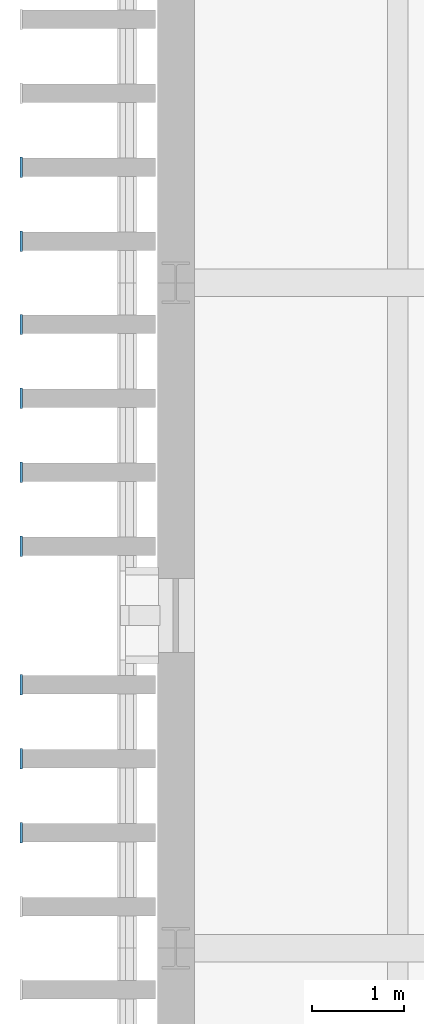
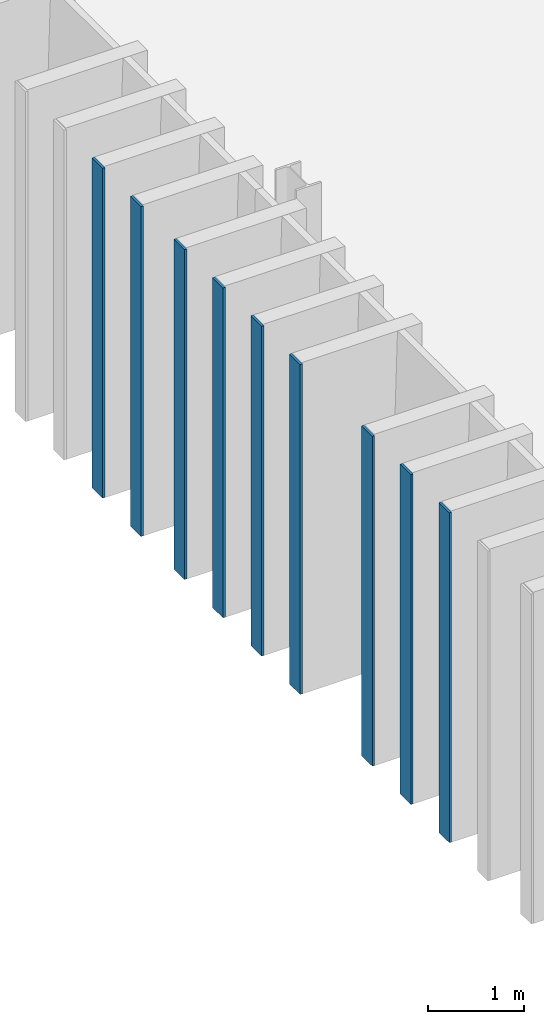
# One storey, part 45 of 91: 9 plates.
"""IFC4 building model written with IfcOpenShell, lengths in metres."""

from ifc_helpers import new_model, si_unit, direction, frame, origin, origin_2d, place, context, subcontext, project, spatial, rectangle, extrude, material, layer, layer_set, type_object, element, save


model = new_model("IFC4")

# Units and contexts
model_context = context("Model", 3, precision=1e-05, world=origin(), true_north=direction((0.0, 1.0)))
body_context = subcontext(model_context, "Body", "Model", "MODEL_VIEW")
ifc_project = project(units=[si_unit("LENGTHUNIT", "METRE"), si_unit("AREAUNIT", "SQUARE_METRE"), si_unit("VOLUMEUNIT", "CUBIC_METRE"), si_unit("PLANEANGLEUNIT", "RADIAN"), si_unit("MASSUNIT", "GRAM", prefix="KILO")], contexts=[model_context])

# Site, building, storey
site_placement = place(None, origin())
site = spatial("IfcSite", under=ifc_project, at=site_placement, CompositionType="ELEMENT")
building_placement = place(site_placement, origin())
building = spatial("IfcBuilding", under=site, at=building_placement, Name="Narikvali Park Central Library", CompositionType="ELEMENT")
storey_placement = place(building_placement, frame((0.0, 0.0, 14.39990234375)))
storey = spatial("IfcBuildingStorey", under=building, at=storey_placement, Name="L03", CompositionType="ELEMENT", Elevation=14.39990234375)

# Plates
ifc_material = material(Name="Anodised Bronze Aluminium", Category="aluminium")
ifc_layer = layer(ifc_material, 0.028076171875, Name="Anodised Bronze Aluminium")
ifc_layer_set = layer_set([ifc_layer], Name="Anodised Bronze Aluminium")
plate_type = type_object("IfcPlateType", Name="Vertical Brick Fin Bronze Bullnose Cap 28", PredefinedType="SHEET", material=ifc_layer_set)
for number, where, z_axis, x_axis, name in (
    (1, (-1.672119140625, 87.64990234375, 0.01025390625), (0.0, 0.0, 1.0), (1.0, 0.0, 0.0), "West Stacks Fin Bullnose Trim 370"),
    (2, (-1.672119140625, 88.449951171875, 0.01025390625), (0.0, 0.0, 1.0), (1.0, 0.0, 0.0), "West Stacks Fin Bullnose Trim 376"),
    (3, (-1.672119140625, 89.25, 0.01025390625), (0.0, 0.0, 1.0), (1.0, 0.0, 0.0), "West Stacks Fin Bullnose Trim 382"),
    (4, (-1.672119140625, 90.75, 0.01025390625), (0.0, 0.0, 1.0), (1.0, 0.0, 0.0), "West Stacks Fin Bullnose Trim 388"),
    (5, (-1.672119140625, 91.550048828125, 0.01025390625), (0.0, 0.0, 1.0), (1.0, 0.0, 0.0), "West Stacks Fin Bullnose Trim 394"),
    (6, (-1.672119140625, 92.35009765625, 0.01025390625), (0.0, 0.0, 1.0), (1.0, 0.0, 0.0), "West Stacks Fin Bullnose Trim 400"),
    (7, (-1.672119140625, 93.14990234375, 0.01025390625), (0.0, 0.0, 1.0), (1.0, 0.0, 0.0), "West Stacks Fin Bullnose Trim 406"),
    (8, (-1.672119140625, 94.050048828125, 0.01025390625), (0.0, 0.0, 1.0), (1.0, 0.0, 0.0), "West Stacks Fin Bullnose Trim 412"),
    (9, (-1.672119140625, 94.85009765625, 0.01025390625), (0.0, 0.0, 1.0), (1.0, 0.0, 0.0), "West Stacks Fin Bullnose Trim 418"),
):
    element("IfcPlate", number, at=place(storey_placement, frame(where, z_axis=z_axis, x_axis=x_axis)), inside=storey, type_object=plate_type, Name=name, PredefinedType="SHEET", context=body_context, shape_type="SweptSolid", body=[
        extrude(rectangle(XDim=0.028076171875, YDim=0.219970703125, at=origin_2d()), origin(), (0.0, 0.0, 1.0), 4.179931640625),
    ])

save(model, "model.ifc")
